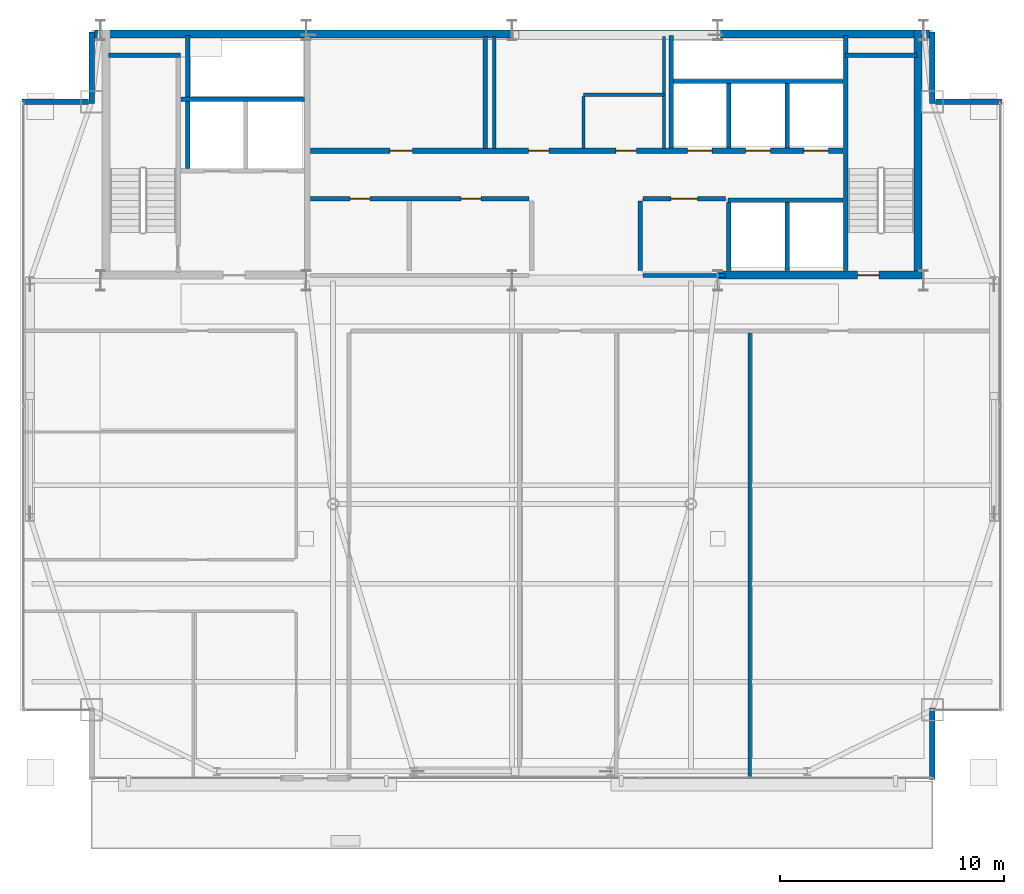
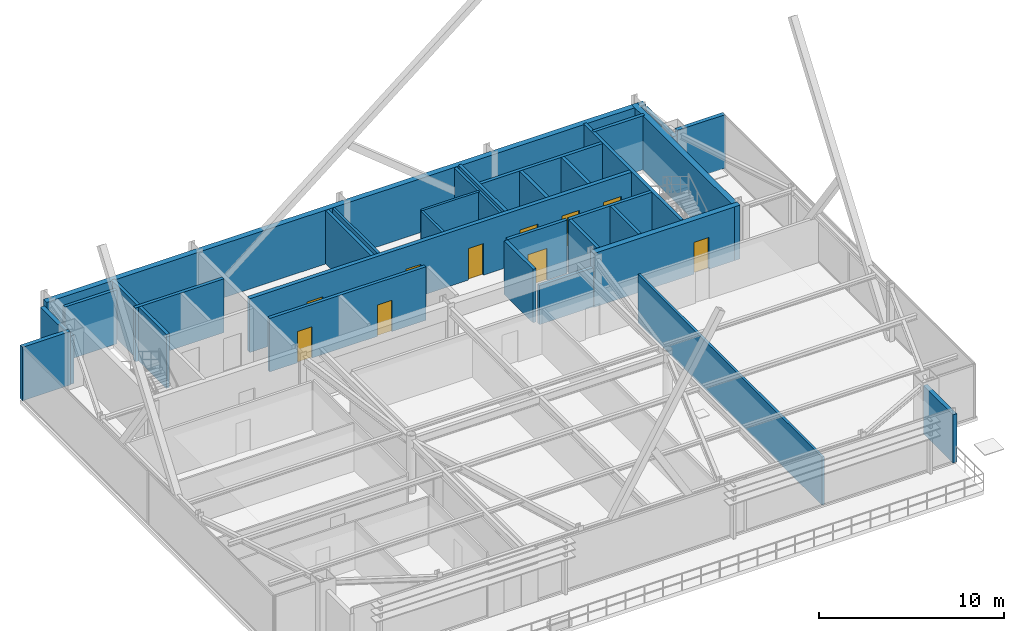
# One storey, part 22 of 25: 31 walls, 10 doors, 10 openings.
"""IFC4 building model written with IfcOpenShell, lengths in metres."""

from ifc_helpers import new_model, si_unit, direction, frame, frame_2d, origin, place, context, subcontext, project, spatial, rectangle, extrude, source, transform, mapped, material, layer, layer_set, type_object, type_shapes, element, fill, save


model = new_model("IFC4")

# Units and contexts
model_context = context("Model", 3, precision=1e-05, world=origin(), true_north=direction((0.0, 1.0)))
body_context = subcontext(model_context, "Body", "Model", "MODEL_VIEW")
ifc_project = project(units=[si_unit("LENGTHUNIT", "METRE"), si_unit("AREAUNIT", "SQUARE_METRE"), si_unit("VOLUMEUNIT", "CUBIC_METRE"), si_unit("PLANEANGLEUNIT", "RADIAN"), si_unit("MASSUNIT", "GRAM", prefix="KILO")], contexts=[model_context])

# Site, building, storey
site_placement = place(None, origin())
site = spatial("IfcSite", under=ifc_project, at=site_placement, CompositionType="ELEMENT")
building_placement = place(site_placement, origin())
building = spatial("IfcBuilding", under=site, at=building_placement, Name="Varnel Quay Broadcast Tower", CompositionType="ELEMENT")
storey_placement = place(building_placement, frame((0.0, 0.0, 258.39990234375)))
storey = spatial("IfcBuildingStorey", under=building, at=storey_placement, Name="L64", CompositionType="ELEMENT", Elevation=258.39990234375)

# Walls
ifc_material_1 = material(Name="Concrete CSA A23.3 C50/60", Category="concrete")
ifc_layer_1 = layer(ifc_material_1, 0.199951171875, Name="Concrete CSA A23.3 C50/60")
ifc_layer_set_1 = layer_set([ifc_layer_1], Name="Concrete CSA A23.3 C50/60")
wall_type_1 = type_object("IfcWallType", Name="Wall_CoreShaftShear200", PredefinedType="SHEAR", material=ifc_layer_set_1)
wall_1_placement = place(storey_placement, frame((15.949951171875, 45.679931640625, 0.0), z_axis=(0.0, 0.0, 1.0), x_axis=(1.0, 0.0, 0.0)))
element("IfcWall", 1, at=wall_1_placement, inside=storey, type_object=wall_type_1, Name="L64 Stair 1 North Structural Wall", PredefinedType="SHEAR", context=body_context, shape_type="SweptSolid", body=[
    extrude(rectangle(XDim=3.22998046875, YDim=0.199951171875, at=frame_2d((1.614990234375, 0.0))), origin(), (0.0, 0.0, 1.0), 3.550048828125),
])
wall_2_placement = place(storey_placement, frame((19.199951171875, 43.699951171875, 0.0), z_axis=(0.0, 0.0, 1.0), x_axis=(1.0, 0.0, 0.0)))
element("IfcWall", 2, at=wall_2_placement, inside=storey, type_object=wall_type_1, Name="L64 Firefighter Lift Shaft Rear Wall", PredefinedType="SHEAR", context=body_context, shape_type="SweptSolid", body=[
    extrude(rectangle(XDim=5.52001953125, YDim=0.199951171875, at=frame_2d((2.760009765625, 0.0))), origin(), (0.0, 0.0, 1.0), 3.550048828125),
])
wall_3_placement = place(storey_placement, frame((19.5, 40.60009765625, 0.0), z_axis=(0.0, 0.0, 1.0), x_axis=(0.0, 1.0, 0.0)))
element("IfcWall", 3, at=wall_3_placement, inside=storey, type_object=wall_type_1, Name="L64 Firefighter Lift Shaft West Wall", PredefinedType="SHEAR", context=body_context, shape_type="SweptSolid", body=[
    extrude(rectangle(XDim=5.949951171875, YDim=0.199951171875, at=frame_2d((2.97509765625, 0.0))), origin(), (0.0, 0.0, 1.0), 3.550048828125),
])
wall_4_placement = place(storey_placement, frame((48.919921875, 36.050048828125, 0.0), z_axis=(0.0, 0.0, 1.0), x_axis=(0.0, 1.0, 0.0)))
element("IfcWall", 4, at=wall_4_placement, inside=storey, type_object=wall_type_1, Name="L64 Stair 2 West Structural Wall", PredefinedType="SHEAR", context=body_context, shape_type="SweptSolid", body=[
    extrude(rectangle(XDim=10.5, YDim=0.199951171875, at=frame_2d((5.25, 0.0))), origin(), (0.0, 0.0, 1.0), 3.550048828125),
])
wall_5_placement = place(storey_placement, frame((48.919921875, 45.679931640625, 0.0), z_axis=(0.0, 0.0, 1.0), x_axis=(1.0, 0.0, 0.0)))
element("IfcWall", 5, at=wall_5_placement, inside=storey, type_object=wall_type_1, Name="L64 Stair 2 North Structural Wall", PredefinedType="SHEAR", context=body_context, shape_type="SweptSolid", body=[
    extrude(rectangle(XDim=3.18017578125, YDim=0.199951171875, at=frame_2d((1.590087890625, 0.0))), origin(), (0.0, 0.0, 1.0), 3.550048828125),
])
wall_6_placement = place(storey_placement, frame((41.219970703125, 44.5, 0.0), z_axis=(0.0, 0.0, 1.0), x_axis=(1.0, 0.0, 0.0)))
element("IfcWall", 6, at=wall_6_placement, inside=storey, type_object=wall_type_1, Name="L64 High-Rise Lift Shaft Rear Wall", PredefinedType="SHEAR", context=body_context, shape_type="SweptSolid", body=[
    extrude(rectangle(XDim=7.580078125, YDim=0.199951171875, at=frame_2d((3.7900390625, 0.0))), origin(), (0.0, 0.0, 1.0), 3.550048828125),
])
wall_7_placement = place(storey_placement, frame((41.1201171875, 41.530029296875, 0.0), z_axis=(0.0, 0.0, 1.0), x_axis=(0.0, 1.0, 0.0)))
element("IfcWall", 7, at=wall_7_placement, inside=storey, type_object=wall_type_1, Name="L64 High-Rise Lift Shaft Divider 1", PredefinedType="SHEAR", context=body_context, shape_type="SweptSolid", body=[
    extrude(rectangle(XDim=5.02001953125, YDim=0.199951171875, at=frame_2d((2.510009765625, 0.0))), origin(), (0.0, 0.0, 1.0), 3.550048828125),
])
for number, where, z_axis, x_axis, name in (
    (8, (43.699951171875, 41.530029296875, 0.0), (0.0, 0.0, 1.0), (0.0, 1.0, 0.0), "L64 High-Rise Lift Shaft Divider 2"),
    (9, (46.300048828125, 41.530029296875, 0.0), (0.0, 0.0, 1.0), (0.0, 1.0, 0.0), "L64 High-Rise Lift Shaft Divider 3"),
):
    element("IfcWall", number, at=place(storey_placement, frame(where, z_axis=z_axis, x_axis=x_axis)), inside=storey, type_object=wall_type_1, Name=name, PredefinedType="SHEAR", context=body_context, shape_type="SweptSolid", body=[
        extrude(rectangle(XDim=2.869873046875, YDim=0.199951171875, at=frame_2d((1.43505859375, 0.0))), origin(), (0.0, 0.0, 1.0), 3.550048828125),
    ])
for number, where, z_axis, x_axis, name in (
    (10, (43.699951171875, 36.050048828125, 0.0), (0.0, 0.0, 1.0), (0.0, 1.0, 0.0), "L64 Express Lift Shaft West Wall"),
    (11, (46.300048828125, 36.050048828125, 0.0), (0.0, 0.0, 1.0), (0.0, 1.0, 0.0), "L64 Express Lift Shaft Divider"),
):
    element("IfcWall", number, at=place(storey_placement, frame(where, z_axis=z_axis, x_axis=x_axis)), inside=storey, type_object=wall_type_1, Name=name, PredefinedType="SHEAR", context=body_context, shape_type="SweptSolid", body=[
        extrude(rectangle(XDim=3.050048828125, YDim=0.199951171875, at=frame_2d((1.52490234375, 0.0))), origin(), (0.0, 0.0, 1.0), 3.550048828125),
    ])
wall_8_placement = place(storey_placement, frame((43.64990234375, 39.199951171875, 0.0), z_axis=(0.0, 0.0, 1.0), x_axis=(1.0, 0.0, 0.0)))
element("IfcWall", 12, at=wall_8_placement, inside=storey, type_object=wall_type_1, Name="L64 Express Lift Shaft North Front Wall", PredefinedType="SHEAR", context=body_context, shape_type="SweptSolid", body=[
    extrude(rectangle(XDim=5.150146484375, YDim=0.199951171875, at=frame_2d((2.5751953125, 0.0))), origin(), (0.0, 0.0, 1.0), 3.550048828125),
])

# Wall, openings, doors
ifc_layer_2 = layer(ifc_material_1, 0.25, Name="Concrete CSA A23.3 C50/60")
ifc_layer_set_2 = layer_set([ifc_layer_2], Name="Concrete CSA A23.3 C50/60")
wall_type_2 = type_object("IfcWallType", Name="Wall_CoreShaftShear250", PredefinedType="SHEAR", material=ifc_layer_set_2)
wall_9_placement = place(storey_placement, frame((24.97998046875, 41.39990234375, 0.0), z_axis=(0.0, 0.0, 1.0), x_axis=(1.0, 0.0, 0.0)))
wall_9 = element("IfcWall", 13, at=wall_9_placement, inside=storey, type_object=wall_type_2, Name="L64 North Lift Bank & Reclaimed Suite Wall", PredefinedType="SHEAR", context=body_context, shape_type="SweptSolid", body=[
    extrude(rectangle(XDim=23.820068359375, YDim=0.25, at=frame_2d((11.91015625, 0.0))), origin(), (0.0, 0.0, 1.0), 3.550048828125),
])
opening_1_placement = place(wall_9_placement, frame((16.8701171875, 0.0, 0.0)))
opening_1 = element("IfcOpeningElement", 14, at=opening_1_placement, cuts=wall_9, Name="Opening LD-L64-PH-01", PredefinedType="OPENING", context=body_context, shape_type="SweptSolid", body=[
    extrude(rectangle(XDim=1.10009765625, YDim=2.179931640625, at=frame_2d((0.550048828125, 1.08984375))), frame((0.0, 0.135009765625, 0.0), z_axis=(0.0, -1.0, 0.0), x_axis=(1.0, 0.0, 0.0)), (0.0, 0.0, 1.0), 0.27001953125),
])
opening_2_placement = place(wall_9_placement, frame((19.469970703125, 0.0, 0.0)))
opening_2 = element("IfcOpeningElement", 15, at=opening_2_placement, cuts=wall_9, Name="Opening LD-L64-PH-02", PredefinedType="OPENING", context=body_context, shape_type="SweptSolid", body=[
    extrude(rectangle(XDim=1.10009765625, YDim=2.179931640625, at=frame_2d((0.550048828125, 1.08984375))), frame((0.0, 0.135009765625, 0.0), z_axis=(0.0, -1.0, 0.0), x_axis=(1.0, 0.0, 0.0)), (0.0, 0.0, 1.0), 0.27001953125),
])
opening_3_placement = place(wall_9_placement, frame((22.070068359375, 0.0, 0.0)))
opening_3 = element("IfcOpeningElement", 16, at=opening_3_placement, cuts=wall_9, Name="Opening LD-L64-PH-03", PredefinedType="OPENING", context=body_context, shape_type="SweptSolid", body=[
    extrude(rectangle(XDim=1.10009765625, YDim=2.179931640625, at=frame_2d((0.550048828125, 1.08984375))), frame((0.0, 0.135009765625, 0.0), z_axis=(0.0, -1.0, 0.0), x_axis=(1.0, 0.0, 0.0)), (0.0, 0.0, 1.0), 0.27001953125),
])
opening_4_placement = place(wall_9_placement, frame((3.56005859375, 0.0, 0.0)))
opening_4 = element("IfcOpeningElement", 17, at=opening_4_placement, cuts=wall_9, Name="Opening D-L64-RECA1", PredefinedType="OPENING", context=body_context, shape_type="SweptSolid", body=[
    extrude(rectangle(XDim=1.0, YDim=2.080078125, at=frame_2d((0.5, 1.0400390625))), frame((0.0, 0.135009765625, 0.0), z_axis=(0.0, -1.0, 0.0), x_axis=(1.0, 0.0, 0.0)), (0.0, 0.0, 1.0), 0.27001953125),
])
opening_5_placement = place(wall_9_placement, frame((9.760009765625, 0.0, 0.0)))
opening_5 = element("IfcOpeningElement", 18, at=opening_5_placement, cuts=wall_9, Name="Opening D-L64-RECB1", PredefinedType="OPENING", context=body_context, shape_type="SweptSolid", body=[
    extrude(rectangle(XDim=0.919921875, YDim=2.080078125, at=frame_2d((0.4599609375, 1.0400390625))), frame((0.0, 0.135009765625, 0.0), z_axis=(0.0, -1.0, 0.0), x_axis=(1.0, 0.0, 0.0)), (0.0, 0.0, 1.0), 0.27001953125),
])
opening_6_placement = place(wall_9_placement, frame((13.659912109375, 0.0, 0.0)))
opening_6 = element("IfcOpeningElement", 19, at=opening_6_placement, cuts=wall_9, Name="Opening D-L64-RECB2", PredefinedType="OPENING", context=body_context, shape_type="SweptSolid", body=[
    extrude(rectangle(XDim=0.919921875, YDim=2.080078125, at=frame_2d((0.4599609375, 1.0400390625))), frame((0.0, 0.135009765625, 0.0), z_axis=(0.0, -1.0, 0.0), x_axis=(1.0, 0.0, 0.0)), (0.0, 0.0, 1.0), 0.27001953125),
])
ifc_material_2 = material(Name="Brushed Bronze-Stainless Lift Car & Sliding Doors", Category="steel")
door_type_1 = type_object("IfcDoorType", Name="Door_LiftLanding1100", OperationType="SLIDING_TO_LEFT", PredefinedType="DOOR", material=ifc_material_2)
shared_shape_1 = source(origin(), body_context, "Body", "SweptSolid", [
    extrude(rectangle(XDim=1.10009765625, YDim=2.179931640625, at=frame_2d((0.550048828125, 1.08984375))), frame((0.0, 0.02490234375, 0.0), z_axis=(0.0, -1.0, 0.0), x_axis=(1.0, 0.0, 0.0)), (0.0, 0.0, 1.0), 0.050048828125),
])
type_shapes(door_type_1, [shared_shape_1])
door_1_placement = place(opening_1_placement, frame((1.10009765625, 0.0, 0.0), z_axis=(0.0, 0.0, 1.0), x_axis=(-1.0, 0.0, 0.0)))
door_1 = element("IfcDoor", 20, at=door_1_placement, inside=storey, type_object=door_type_1, Name="L64 Lift PH-01 Landing Door", OperationType="SLIDING_TO_LEFT", OverallHeight=2.179931640625, OverallWidth=1.10009765625, PredefinedType="DOOR", context=body_context, shape_type="MappedRepresentation", body=[
    mapped(shared_shape_1, transform((0.0, 0.0, 0.0), x_axis=(1.0, 0.0, 0.0), y_axis=(0.0, 1.0, 0.0), z_axis=(0.0, 0.0, 1.0), scale=1.0)),
])
fill(opening_1, door_1)
door_2_placement = place(opening_2_placement, frame((1.10009765625, 0.0, 0.0), z_axis=(0.0, 0.0, 1.0), x_axis=(-1.0, 0.0, 0.0)))
door_2 = element("IfcDoor", 21, at=door_2_placement, inside=storey, type_object=door_type_1, Name="L64 Lift PH-02 Landing Door", OperationType="SLIDING_TO_LEFT", OverallHeight=2.179931640625, OverallWidth=1.10009765625, PredefinedType="DOOR", context=body_context, shape_type="MappedRepresentation", body=[
    mapped(shared_shape_1, transform((0.0, 0.0, 0.0), x_axis=(1.0, 0.0, 0.0), y_axis=(0.0, 1.0, 0.0), z_axis=(0.0, 0.0, 1.0), scale=1.0)),
])
fill(opening_2, door_2)
door_3_placement = place(opening_3_placement, frame((1.10009765625, 0.0, 0.0), z_axis=(0.0, 0.0, 1.0), x_axis=(-1.0, 0.0, 0.0)))
door_3 = element("IfcDoor", 22, at=door_3_placement, inside=storey, type_object=door_type_1, Name="L64 Lift PH-03 Landing Door", OperationType="SLIDING_TO_LEFT", OverallHeight=2.179931640625, OverallWidth=1.10009765625, PredefinedType="DOOR", context=body_context, shape_type="MappedRepresentation", body=[
    mapped(shared_shape_1, transform((0.0, 0.0, 0.0), x_axis=(1.0, 0.0, 0.0), y_axis=(0.0, 1.0, 0.0), z_axis=(0.0, 0.0, 1.0), scale=1.0)),
])
fill(opening_3, door_3)
ifc_material_3 = material(Name="Insulated Fire-Rated Hollow Steel Door", Category="steel")
door_type_2 = type_object("IfcDoorType", Name="Door_FireLobby1000", OperationType="NOTDEFINED", PredefinedType="DOOR", material=ifc_material_3)
shared_shape_2 = source(origin(), body_context, "Body", "SweptSolid", [
    extrude(rectangle(XDim=1.0, YDim=2.080078125, at=frame_2d((0.5, 1.0400390625))), frame((0.0, 0.02490234375, 0.0), z_axis=(0.0, -1.0, 0.0), x_axis=(1.0, 0.0, 0.0)), (0.0, 0.0, 1.0), 0.050048828125),
])
type_shapes(door_type_2, [shared_shape_2])
door_4_placement = place(opening_4_placement, origin())
door_4 = element("IfcDoor", 23, at=door_4_placement, inside=storey, type_object=door_type_2, Name="L64 Broadcast Ingest Server Hall Door", OperationType="SINGLE_SWING_LEFT", OverallHeight=2.080078125, OverallWidth=1.0, PredefinedType="DOOR", context=body_context, shape_type="MappedRepresentation", body=[
    mapped(shared_shape_2, transform((0.0, 0.0, 0.0), x_axis=(1.0, 0.0, 0.0), y_axis=(0.0, 1.0, 0.0), z_axis=(0.0, 0.0, 1.0), scale=1.0)),
])
fill(opening_4, door_4)
ifc_material_4 = material(Name="Solid-Core Fire-Rated Acoustic Oak Veneer Door", Category="wood")
door_type_3 = type_object("IfcDoorType", Name="Door_Office920", OperationType="NOTDEFINED", PredefinedType="DOOR", material=ifc_material_4)
shared_shape_3 = source(origin(), body_context, "Body", "SweptSolid", [
    extrude(rectangle(XDim=0.919921875, YDim=2.080078125, at=frame_2d((0.4599609375, 1.0400390625))), frame((0.0, 0.02490234375, 0.0), z_axis=(0.0, -1.0, 0.0), x_axis=(1.0, 0.0, 0.0)), (0.0, 0.0, 1.0), 0.050048828125),
])
type_shapes(door_type_3, [shared_shape_3])
door_5_placement = place(opening_5_placement, origin())
door_5 = element("IfcDoor", 24, at=door_5_placement, inside=storey, type_object=door_type_3, Name="L64 Acoustic Rack & Patch Suite Door", OperationType="SINGLE_SWING_RIGHT", OverallHeight=2.080078125, OverallWidth=0.919921875, PredefinedType="DOOR", context=body_context, shape_type="MappedRepresentation", body=[
    mapped(shared_shape_3, transform((0.0, 0.0, 0.0), x_axis=(1.0, 0.0, 0.0), y_axis=(0.0, 1.0, 0.0), z_axis=(0.0, 0.0, 1.0), scale=1.0)),
])
fill(opening_5, door_5)
door_6_placement = place(opening_6_placement, origin())
door_6 = element("IfcDoor", 25, at=door_6_placement, inside=storey, type_object=door_type_3, Name="L64 Production Tea Pantry Door", OperationType="SINGLE_SWING_LEFT", OverallHeight=2.080078125, OverallWidth=0.919921875, PredefinedType="DOOR", context=body_context, shape_type="MappedRepresentation", body=[
    mapped(shared_shape_3, transform((0.0, 0.0, 0.0), x_axis=(1.0, 0.0, 0.0), y_axis=(0.0, 1.0, 0.0), z_axis=(0.0, 0.0, 1.0), scale=1.0)),
])
fill(opening_6, door_6)

# Walls
ifc_layer_3 = layer(ifc_material_1, 0.35009765625, Name="Concrete CSA A23.3 C50/60")
ifc_layer_set_3 = layer_set([ifc_layer_3], Name="Concrete CSA A23.3 C50/60")
wall_type_3 = type_object("IfcWallType", Name="Wall_CoreShearExt350", PredefinedType="SHEAR", material=ifc_layer_set_3)
wall_10_placement = place(storey_placement, frame((15.324951171875, 46.625, 0.0), z_axis=(0.0, 0.0, 1.0), x_axis=(1.0, 0.0, 0.0)))
element("IfcWall", 26, at=wall_10_placement, inside=storey, type_object=wall_type_3, Name="L64 North Core Shear Wall", PredefinedType="SHEAR", context=body_context, shape_type="SweptSolid", body=[
    extrude(rectangle(XDim=37.35009765625, YDim=0.35009765625, at=frame_2d((18.675048828125, 0.0))), origin(), (0.0, 0.0, 1.0), 3.550048828125),
])
ifc_layer_4 = layer(ifc_material_1, 0.35009765625, Name="Concrete CSA A23.3 C50/60")
ifc_layer_set_4 = layer_set([ifc_layer_4], Name="Concrete CSA A23.3 C50/60")
wall_type_4 = type_object("IfcWallType", Name="Wall_CoreShearInt350", PredefinedType="SHEAR", material=ifc_layer_set_4)
wall_11_placement = place(storey_placement, frame((52.155029296875, 35.669921875, 0.0), z_axis=(0.0, 0.0, 1.0), x_axis=(0.0, 1.0, 0.0)))
element("IfcWall", 27, at=wall_11_placement, inside=storey, type_object=wall_type_4, Name="L64 East Core Shear Wall", PredefinedType="SHEAR", context=body_context, shape_type="SweptSolid", body=[
    extrude(rectangle(XDim=11.130126953125, YDim=0.35009765625, at=frame_2d((5.56494140625, 0.0))), origin(), (0.0, 0.0, 1.0), 3.550048828125),
])

# Wall, opening, door
wall_12_placement = place(storey_placement, frame((43.199951171875, 35.844970703125, 0.0), z_axis=(0.0, 0.0, 1.0), x_axis=(1.0, 0.0, 0.0)))
wall_12 = element("IfcWall", 28, at=wall_12_placement, inside=storey, type_object=wall_type_4, Name="L64 South-East Core Shear Wall", PredefinedType="SHEAR", context=body_context, shape_type="SweptSolid", body=[
    extrude(rectangle(XDim=9.130126953125, YDim=0.35009765625, at=frame_2d((4.56494140625, 0.0))), origin(), (0.0, 0.0, 1.0), 3.550048828125),
])
opening_7_placement = place(wall_12_placement, frame((6.25, 0.0, 0.0)))
opening_7 = element("IfcOpeningElement", 29, at=opening_7_placement, cuts=wall_12, Name="Opening D-L64-S2", PredefinedType="OPENING", context=body_context, shape_type="SweptSolid", body=[
    extrude(rectangle(XDim=0.949951171875, YDim=2.10009765625, at=frame_2d((0.47509765625, 1.050048828125))), frame((0.0, 0.18505859375, 0.0), z_axis=(0.0, -1.0, 0.0), x_axis=(1.0, 0.0, 0.0)), (0.0, 0.0, 1.0), 0.3701171875),
])
door_type_4 = type_object("IfcDoorType", Name="Door_FireStair950", OperationType="NOTDEFINED", PredefinedType="DOOR", material=ifc_material_3)
shared_shape_4 = source(origin(), body_context, "Body", "SweptSolid", [
    extrude(rectangle(XDim=0.949951171875, YDim=2.10009765625, at=frame_2d((0.47509765625, 1.050048828125))), frame((0.0, 0.02490234375, 0.0), z_axis=(0.0, -1.0, 0.0), x_axis=(1.0, 0.0, 0.0)), (0.0, 0.0, 1.0), 0.050048828125),
])
type_shapes(door_type_4, [shared_shape_4])
door_7_placement = place(opening_7_placement, origin())
door_7 = element("IfcDoor", 30, at=door_7_placement, inside=storey, type_object=door_type_4, Name="L64 Stair 2 Fire Door", OperationType="SINGLE_SWING_RIGHT", OverallHeight=2.10009765625, OverallWidth=0.949951171875, PredefinedType="DOOR", context=body_context, shape_type="MappedRepresentation", body=[
    mapped(shared_shape_4, transform((0.0, 0.0, 0.0), x_axis=(1.0, 0.0, 0.0), y_axis=(0.0, 1.0, 0.0), z_axis=(0.0, 0.0, 1.0), scale=1.0)),
])
fill(opening_7, door_7)

# Walls
ifc_material_5 = material(Name="Precast Architectural Concrete C40/50", Category="concrete")
ifc_layer_5 = layer(ifc_material_5, 0.25, Name="Precast Architectural Concrete C40/50")
ifc_layer_set_5 = layer_set([ifc_layer_5], Name="Precast Architectural Concrete C40/50")
wall_type_5 = type_object("IfcWallType", Name="Wall_ExtTerrace250", PredefinedType="SOLIDWALL", material=ifc_layer_set_5)
wall_13_placement = place(storey_placement, frame((52.800048828125, 13.280029296875, 0.0), z_axis=(0.0, 0.0, 1.0), x_axis=(0.0, 1.0, 0.0)))
element("IfcWall", 31, at=wall_13_placement, inside=storey, type_object=wall_type_5, Name="L64 Mega-Column Notch Cladding Wall NSE2", PredefinedType="SOLIDWALL", context=body_context, shape_type="SweptSolid", body=[
    extrude(rectangle(XDim=3.199951171875, YDim=0.25, at=frame_2d((1.60009765625, 0.0))), origin(), (0.0, 0.0, 1.0), 3.171142578125),
])
wall_14_placement = place(storey_placement, frame((12.080078125, 43.60009765625, 0.0), z_axis=(0.0, 0.0, 1.0), x_axis=(1.0, 0.0, 0.0)))
element("IfcWall", 32, at=wall_14_placement, inside=storey, type_object=wall_type_5, Name="L64 Mega-Column Notch Cladding Wall NNW1", PredefinedType="SOLIDWALL", context=body_context, shape_type="SweptSolid", body=[
    extrude(rectangle(XDim=2.989990234375, YDim=0.25, at=frame_2d((1.4951171875, 0.0))), origin(), (0.0, 0.0, 1.0), 3.530029296875),
])
wall_15_placement = place(storey_placement, frame((15.199951171875, 43.52001953125, 0.0), z_axis=(0.0, 0.0, 1.0), x_axis=(0.0, 1.0, 0.0)))
element("IfcWall", 33, at=wall_15_placement, inside=storey, type_object=wall_type_5, Name="L64 Mega-Column Notch Cladding Wall NNW2", PredefinedType="SOLIDWALL", context=body_context, shape_type="SweptSolid", body=[
    extrude(rectangle(XDim=3.199951171875, YDim=0.25, at=frame_2d((1.60009765625, 0.0))), origin(), (0.0, 0.0, 1.0), 3.171142578125),
])
wall_16_placement = place(storey_placement, frame((52.929931640625, 43.60009765625, 0.0), z_axis=(0.0, 0.0, 1.0), x_axis=(1.0, 0.0, 0.0)))
element("IfcWall", 34, at=wall_16_placement, inside=storey, type_object=wall_type_5, Name="L64 Mega-Column Notch Cladding Wall NNE1", PredefinedType="SOLIDWALL", context=body_context, shape_type="SweptSolid", body=[
    extrude(rectangle(XDim=2.989990234375, YDim=0.25, at=frame_2d((1.4951171875, 0.0))), origin(), (0.0, 0.0, 1.0), 3.530029296875),
])
wall_17_placement = place(storey_placement, frame((52.800048828125, 43.52001953125, 0.0), z_axis=(0.0, 0.0, 1.0), x_axis=(0.0, 1.0, 0.0)))
element("IfcWall", 35, at=wall_17_placement, inside=storey, type_object=wall_type_5, Name="L64 Mega-Column Notch Cladding Wall NNE2", PredefinedType="SOLIDWALL", context=body_context, shape_type="SweptSolid", body=[
    extrude(rectangle(XDim=3.199951171875, YDim=0.25, at=frame_2d((1.60009765625, 0.0))), origin(), (0.0, 0.0, 1.0), 3.171142578125),
])
ifc_material_6 = material(Name="Concrete Blockwork Fire Enclosure C40/50", Category="masonry")
ifc_layer_6 = layer(ifc_material_6, 0.199951171875, Name="Concrete Blockwork Fire Enclosure C40/50")
ifc_layer_set_6 = layer_set([ifc_layer_6], Name="Concrete Blockwork Fire Enclosure C40/50")
wall_type_6 = type_object("IfcWallType", Name="Wall_FireShaft200", PredefinedType="SOLIDWALL", material=ifc_layer_set_6)
wall_18_placement = place(storey_placement, frame((39.85009765625, 35.824951171875, 0.0), z_axis=(0.0, 0.0, 1.0), x_axis=(1.0, 0.0, 0.0)))
element("IfcWall", 36, at=wall_18_placement, inside=storey, type_object=wall_type_6, Name="L64 Electrical Sub-Distribution Closet Partition 5", PredefinedType="SOLIDWALL", context=body_context, shape_type="SweptSolid", body=[
    extrude(rectangle(XDim=3.699951171875, YDim=0.199951171875, at=frame_2d((1.85009765625, 0.0))), origin(), (0.0, 0.0, 1.0), 2.5751953125),
])

# Wall, opening, door
wall_19_placement = place(storey_placement, frame((39.85009765625, 39.25, 0.0), z_axis=(0.0, 0.0, 1.0), x_axis=(1.0, 0.0, 0.0)))
wall_19 = element("IfcWall", 37, at=wall_19_placement, inside=storey, type_object=wall_type_6, Name="L64 Electrical Sub-Distribution Closet Partition 6", PredefinedType="SOLIDWALL", context=body_context, shape_type="SweptSolid", body=[
    extrude(rectangle(XDim=3.699951171875, YDim=0.199951171875, at=frame_2d((1.85009765625, 0.0))), origin(), (0.0, 0.0, 1.0), 3.530029296875),
])
opening_8_placement = place(wall_19_placement, frame((1.25, 0.0, 0.0)))
opening_8 = element("IfcOpeningElement", 38, at=opening_8_placement, cuts=wall_19, Name="Opening D-L64-03", PredefinedType="OPENING", context=body_context, shape_type="SweptSolid", body=[
    extrude(rectangle(XDim=1.199951171875, YDim=2.10009765625, at=frame_2d((0.60009765625, 1.050048828125))), frame((0.0, 0.10986328125, 0.0), z_axis=(0.0, -1.0, 0.0), x_axis=(1.0, 0.0, 0.0)), (0.0, 0.0, 1.0), 0.219970703125),
])
door_type_5 = type_object("IfcDoorType", Name="Door_Plant1200", OperationType="NOTDEFINED", PredefinedType="DOOR", material=ifc_material_3)
shared_shape_5 = source(origin(), body_context, "Body", "SweptSolid", [
    extrude(rectangle(XDim=1.199951171875, YDim=2.10009765625, at=frame_2d((0.60009765625, 1.050048828125))), frame((0.0, 0.02490234375, 0.0), z_axis=(0.0, -1.0, 0.0), x_axis=(1.0, 0.0, 0.0)), (0.0, 0.0, 1.0), 0.050048828125),
])
type_shapes(door_type_5, [shared_shape_5])
door_8_placement = place(opening_8_placement, origin())
door_8 = element("IfcDoor", 39, at=door_8_placement, inside=storey, type_object=door_type_5, Name="L64 Electrical Sub-Distribution Closet Door D-L64-03", OperationType="SINGLE_SWING_RIGHT", OverallHeight=2.10009765625, OverallWidth=1.199951171875, PredefinedType="DOOR", context=body_context, shape_type="MappedRepresentation", body=[
    mapped(shared_shape_5, transform((0.0, 0.0, 0.0), x_axis=(1.0, 0.0, 0.0), y_axis=(0.0, 1.0, 0.0), z_axis=(0.0, 0.0, 1.0), scale=1.0)),
])
fill(opening_8, door_8)

# Walls
wall_20_placement = place(storey_placement, frame((39.72509765625, 36.050048828125, 0.0), z_axis=(0.0, 0.0, 1.0), x_axis=(0.0, 1.0, 0.0)))
element("IfcWall", 40, at=wall_20_placement, inside=storey, type_object=wall_type_6, Name="L64 Electrical Sub-Distribution Closet Partition 7", PredefinedType="SOLIDWALL", context=body_context, shape_type="SweptSolid", body=[
    extrude(rectangle(XDim=3.099853515625, YDim=0.199951171875, at=frame_2d((1.5498046875, 0.0))), origin(), (0.0, 0.0, 1.0), 3.530029296875),
])
wall_21_placement = place(storey_placement, frame((32.800048828125, 41.5, 0.0), z_axis=(0.0, 0.0, 1.0), x_axis=(0.0, 1.0, 0.0)))
element("IfcWall", 41, at=wall_21_placement, inside=storey, type_object=wall_type_6, Name="L64 Broadcast Ingest Server Hall Partition 20", PredefinedType="SOLIDWALL", context=body_context, shape_type="SweptSolid", body=[
    extrude(rectangle(XDim=5.02001953125, YDim=0.199951171875, at=frame_2d((2.510009765625, 0.0))), origin(), (0.0, 0.0, 1.0), 3.530029296875),
])
ifc_material_7 = material(Name="Steel-Stud Fire-Rated Acoustic Gypsum Partition Assembly", Category="steel")
ifc_layer_7 = layer(ifc_material_7, 0.14990234375, Name="Steel-Stud Fire-Rated Acoustic Gypsum Partition Assembly")
ifc_layer_set_7 = layer_set([ifc_layer_7], Name="Steel-Stud Fire-Rated Acoustic Gypsum Partition Assembly")
wall_type_7 = type_object("IfcWallType", Name="Wall_Partition150", PredefinedType="PARTITIONING", material=ifc_layer_set_7)
wall_22_placement = place(storey_placement, frame((44.6298828125, 13.3798828125, 0.0), z_axis=(0.0, 0.0, 1.0), x_axis=(0.0, 1.0, 0.0)))
element("IfcWall", 42, at=wall_22_placement, inside=storey, type_object=wall_type_7, Name="L64 Tea Kitchen 7 Partition 19", PredefinedType="PARTITIONING", context=body_context, shape_type="SweptSolid", body=[
    extrude(rectangle(XDim=19.883056640625, YDim=0.14990234375, at=frame_2d((9.94140625, 0.0))), origin(), (0.0, 0.0, 1.0), 3.171142578125),
])
wall_23_placement = place(storey_placement, frame((37.199951171875, 41.5, 0.0), z_axis=(0.0, 0.0, 1.0), x_axis=(0.0, 1.0, 0.0)))
element("IfcWall", 43, at=wall_23_placement, inside=storey, type_object=wall_type_7, Name="L64 Acoustic Rack & Patch Suite Partition 21", PredefinedType="PARTITIONING", context=body_context, shape_type="SweptSolid", body=[
    extrude(rectangle(XDim=2.324951171875, YDim=0.14990234375, at=frame_2d((1.16259765625, 0.0))), origin(), (0.0, 0.0, 1.0), 3.530029296875),
])
wall_24_placement = place(storey_placement, frame((37.199951171875, 43.89990234375, 0.0), z_axis=(0.0, 0.0, 1.0), x_axis=(1.0, 0.0, 0.0)))
element("IfcWall", 44, at=wall_24_placement, inside=storey, type_object=wall_type_7, Name="L64 Acoustic Rack & Patch Suite Partition 22", PredefinedType="PARTITIONING", context=body_context, shape_type="SweptSolid", body=[
    extrude(rectangle(XDim=3.60009765625, YDim=0.14990234375, at=frame_2d((1.800048828125, 0.0))), origin(), (0.0, 0.0, 1.0), 3.530029296875),
])
for number, where, z_axis, x_axis, name in (
    (45, (40.800048828125, 41.5, 0.0), (0.0, 0.0, 1.0), (0.0, 1.0, 0.0), "L64 Acoustic Rack & Patch Suite Partition 23"),
    (46, (33.199951171875, 41.5, 0.0), (0.0, 0.0, 1.0), (0.0, 1.0, 0.0), "L64 Acoustic Rack & Patch Suite Partition 24"),
):
    element("IfcWall", number, at=place(storey_placement, frame(where, z_axis=z_axis, x_axis=x_axis)), inside=storey, type_object=wall_type_7, Name=name, PredefinedType="PARTITIONING", context=body_context, shape_type="SweptSolid", body=[
        extrude(rectangle(XDim=5.02001953125, YDim=0.14990234375, at=frame_2d((2.510009765625, 0.0))), origin(), (0.0, 0.0, 1.0), 3.530029296875),
    ])

# Wall, openings, doors
ifc_material_8 = material(Name="Fire-Rated Moisture-Resistant Plumbing Chase Partition")
ifc_layer_8 = layer(ifc_material_8, 0.199951171875, Name="Fire-Rated Moisture-Resistant Plumbing Chase Partition")
ifc_layer_set_8 = layer_set([ifc_layer_8], Name="Fire-Rated Moisture-Resistant Plumbing Chase Partition")
wall_type_8 = type_object("IfcWallType", Name="Wall_Plumbing200", PredefinedType="PLUMBINGWALL", material=ifc_layer_set_8)
wall_25_placement = place(storey_placement, frame((25.0, 39.25, 0.0), z_axis=(0.0, 0.0, 1.0), x_axis=(1.0, 0.0, 0.0)))
wall_25 = element("IfcWall", 47, at=wall_25_placement, inside=storey, type_object=wall_type_8, Name="L64 Accessible Washroom Partition 3", PredefinedType="PLUMBINGWALL", context=body_context, shape_type="SweptSolid", body=[
    extrude(rectangle(XDim=9.75, YDim=0.199951171875, at=frame_2d((4.875, 0.0))), origin(), (0.0, 0.0, 1.0), 3.530029296875),
])
opening_9_placement = place(wall_25_placement, frame((1.75, 0.0, 0.0)))
opening_9 = element("IfcOpeningElement", 48, at=opening_9_placement, cuts=wall_25, Name="Opening D-L64-01", PredefinedType="OPENING", context=body_context, shape_type="SweptSolid", body=[
    extrude(rectangle(XDim=0.89990234375, YDim=2.06005859375, at=frame_2d((0.449951171875, 1.030029296875))), frame((0.0, 0.10986328125, 0.0), z_axis=(0.0, -1.0, 0.0), x_axis=(1.0, 0.0, 0.0)), (0.0, 0.0, 1.0), 0.219970703125),
])
opening_10_placement = place(wall_25_placement, frame((6.72509765625, 0.0, 0.0)))
opening_10 = element("IfcOpeningElement", 49, at=opening_10_placement, cuts=wall_25, Name="Opening D-L64-02", PredefinedType="OPENING", context=body_context, shape_type="SweptSolid", body=[
    extrude(rectangle(XDim=0.89990234375, YDim=2.06005859375, at=frame_2d((0.449951171875, 1.030029296875))), frame((0.0, 0.10986328125, 0.0), z_axis=(0.0, -1.0, 0.0), x_axis=(1.0, 0.0, 0.0)), (0.0, 0.0, 1.0), 0.219970703125),
])
door_type_6 = type_object("IfcDoorType", Name="Door_Washroom900", OperationType="NOTDEFINED", PredefinedType="DOOR", material=ifc_material_4)
shared_shape_6 = source(origin(), body_context, "Body", "SweptSolid", [
    extrude(rectangle(XDim=0.89990234375, YDim=2.06005859375, at=frame_2d((0.449951171875, 1.030029296875))), frame((0.0, 0.02490234375, 0.0), z_axis=(0.0, -1.0, 0.0), x_axis=(1.0, 0.0, 0.0)), (0.0, 0.0, 1.0), 0.050048828125),
])
type_shapes(door_type_6, [shared_shape_6])
door_9_placement = place(opening_9_placement, frame((0.89990234375, 0.0, 0.0), z_axis=(0.0, 0.0, 1.0), x_axis=(-1.0, 0.0, 0.0)))
door_9 = element("IfcDoor", 50, at=door_9_placement, inside=storey, type_object=door_type_6, Name="L64 Accessible Washroom Door D-L64-01", OperationType="SINGLE_SWING_RIGHT", OverallHeight=2.06005859375, OverallWidth=0.89990234375, PredefinedType="DOOR", context=body_context, shape_type="MappedRepresentation", body=[
    mapped(shared_shape_6, transform((0.0, 0.0, 0.0), x_axis=(1.0, 0.0, 0.0), y_axis=(0.0, 1.0, 0.0), z_axis=(0.0, 0.0, 1.0), scale=1.0)),
])
fill(opening_9, door_9)
door_10_placement = place(opening_10_placement, frame((0.89990234375, 0.0, 0.0), z_axis=(0.0, 0.0, 1.0), x_axis=(-1.0, 0.0, 0.0)))
door_10 = element("IfcDoor", 51, at=door_10_placement, inside=storey, type_object=door_type_6, Name="L64 Staff Washrooms Door D-L64-02", OperationType="SINGLE_SWING_LEFT", OverallHeight=2.06005859375, OverallWidth=0.89990234375, PredefinedType="DOOR", context=body_context, shape_type="MappedRepresentation", body=[
    mapped(shared_shape_6, transform((0.0, 0.0, 0.0), x_axis=(1.0, 0.0, 0.0), y_axis=(0.0, 1.0, 0.0), z_axis=(0.0, 0.0, 1.0), scale=1.0)),
])
fill(opening_10, door_10)

save(model, "model.ifc")
